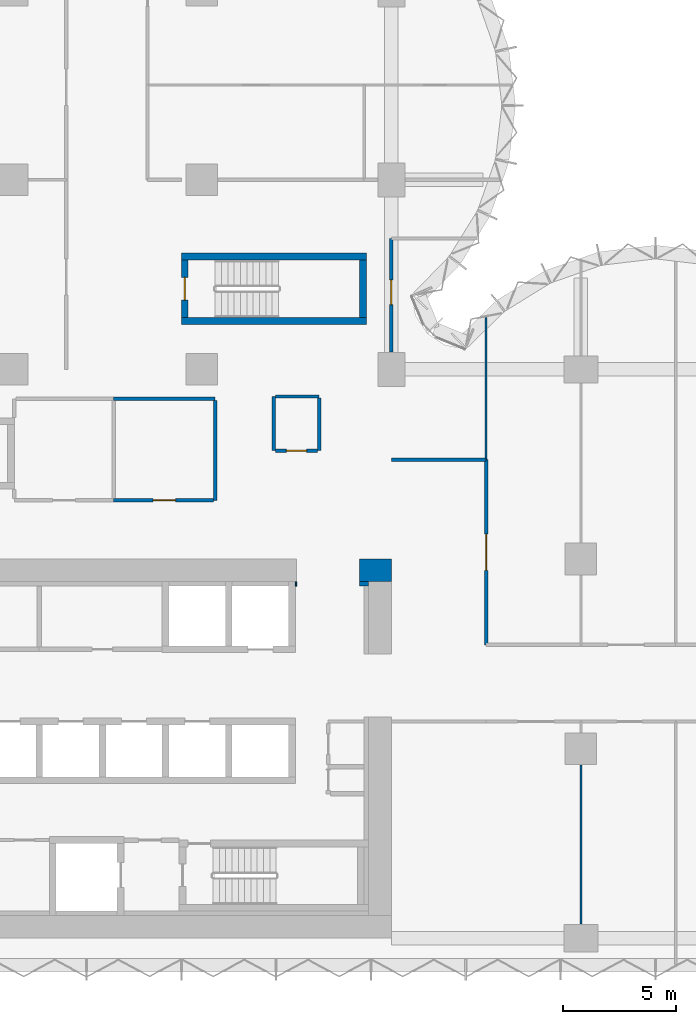
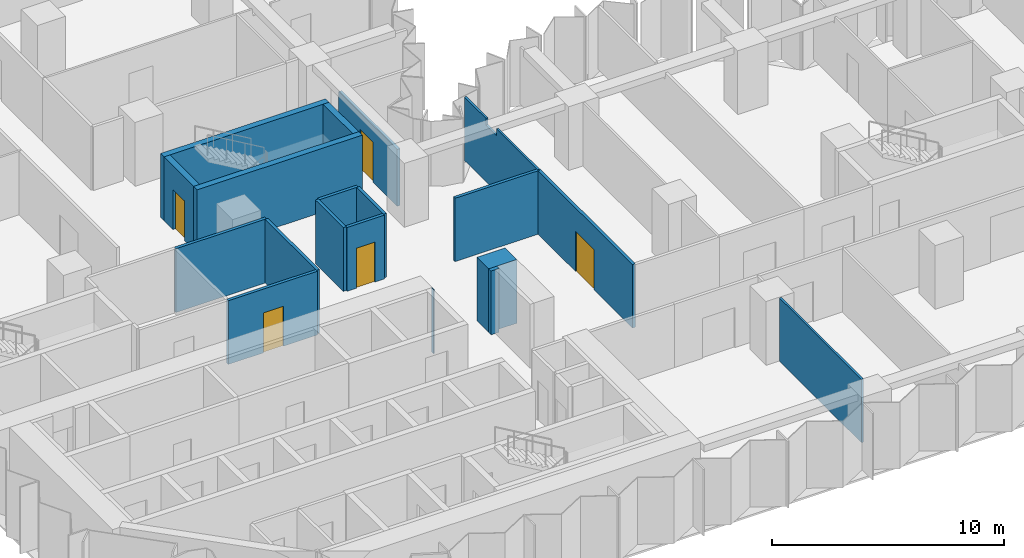
# One storey, part 9 of 15: 19 walls, 5 doors, 5 openings.
"""IFC4 building model written with IfcOpenShell, lengths in metres."""

import ifcopenshell
import ifcopenshell.guid

model = None  # the IFC model being written
_history = None  # IfcOwnerHistory: only IFC2X3 demands one
_inside = {}  # id of a spatial element -> (the spatial element, [elements in it])
_under = {}  # id of a project, library or spatial element -> (it, [spatial elements below it])
_declared = {}  # id of a project -> (the project, [libraries it declares])
_typed = {}  # id of a type object -> (the type object, [elements of that type])
_made_of = {}  # id of a material, layer set ... -> (it, [elements and type objects made of it])


def new_model(schema):
    """Start an empty IFC model of exactly this schema.

    Asked for "IFC4X3", IfcOpenShell would pick the latest addendum, in which some entities
    have other attributes; the version numbers below select the first issue.
    IFC2X3 requires an IfcOwnerHistory on every rooted entity: one is made here for all.
    """
    global model, _history
    if schema == "IFC4X3":
        model = ifcopenshell.file(schema_version=(4, 3, 0, 0))
    else:
        model = ifcopenshell.file(schema=schema)
    _inside.clear()
    _under.clear()
    _declared.clear()
    _typed.clear()
    _made_of.clear()
    _history = None
    if model.schema == "IFC2X3":
        org = make("IfcOrganization", Name="unknown")
        user = make(
            "IfcPersonAndOrganization",
            ThePerson=make("IfcPerson", FamilyName="unknown"),
            TheOrganization=org,
        )
        app = make(
            "IfcApplication",
            ApplicationDeveloper=org,
            Version="unknown",
            ApplicationFullName="unknown",
            ApplicationIdentifier="unknown",
        )
        _history = make(
            "IfcOwnerHistory",
            OwningUser=user,
            OwningApplication=app,
            ChangeAction="ADDED",
            CreationDate=0,
        )
    return model


def make(cls, **values):
    """One entity of the class cls with the attributes given. An attribute that is None is left unset."""
    return model.create_entity(
        cls, **{name: value for name, value in values.items() if value is not None}
    )


def rooted(cls, **values):
    """An entity with a GlobalId (a new one), such as an element, a storey or a relation."""
    return make(cls, GlobalId=ifcopenshell.guid.new(), OwnerHistory=_history, **values)


def si_unit(unit_type, name, prefix=None):
    """IfcSIUnit, for example si_unit("LENGTHUNIT", "METRE", prefix="MILLI")."""
    return make("IfcSIUnit", UnitType=unit_type, Prefix=prefix, Name=name)


def assignment(units):
    """IfcUnitAssignment: the units of a project."""
    return None if units is None else make("IfcUnitAssignment", Units=units)


def point(xyz):
    """IfcCartesianPoint."""
    return None if xyz is None else make("IfcCartesianPoint", Coordinates=xyz)


def direction(xyz):
    """IfcDirection."""
    return None if xyz is None else make("IfcDirection", DirectionRatios=xyz)


def frame(location, z_axis=None, x_axis=None):
    """IfcAxis2Placement3D, a coordinate frame: its origin and axes. An axis left out is left unset."""
    return make(
        "IfcAxis2Placement3D",
        Location=point(location),
        Axis=direction(z_axis),
        RefDirection=direction(x_axis),
    )


def frame_2d(location, x_axis=None):
    """IfcAxis2Placement2D, a coordinate frame in the plane: its origin and x axis."""
    return make(
        "IfcAxis2Placement2D", Location=point(location), RefDirection=direction(x_axis)
    )


def origin():
    """The frame at (0, 0, 0) with its axes left unset."""
    return frame((0.0, 0.0, 0.0))


def place(relative_to, where):
    """IfcLocalPlacement: puts the frame where relative to a parent placement (None: the world)."""
    return make(
        "IfcLocalPlacement", PlacementRelTo=relative_to, RelativePlacement=where
    )


def context(
    kind, dimensions, precision=None, world=None, true_north=None, identifier=None
):
    """IfcGeometricRepresentationContext, for example the 3D "Model" context."""
    return make(
        "IfcGeometricRepresentationContext",
        ContextIdentifier=identifier,
        ContextType=kind,
        CoordinateSpaceDimension=dimensions,
        Precision=precision,
        WorldCoordinateSystem=world,
        TrueNorth=true_north,
    )


def subcontext(parent, identifier, kind, view, scale=None):
    """IfcGeometricRepresentationSubContext, for example "Body" below "Model"."""
    return make(
        "IfcGeometricRepresentationSubContext",
        ContextIdentifier=identifier,
        ContextType=kind,
        ParentContext=parent,
        TargetScale=scale,
        TargetView=view,
    )


def project(units=None, contexts=None):
    """IfcProject with its units and contexts."""
    return rooted(
        "IfcProject",
        Name="project",
        RepresentationContexts=contexts,
        UnitsInContext=assignment(units),
    )


def spatial(cls, under=None, at=None, **own):
    """A site, building, storey or space (cls), placed at a placement, below another one or the project."""
    s = rooted(cls, ObjectPlacement=at, **own)
    if under is not None:
        _under.setdefault(under.id(), (under, []))[1].append(s)
    return s


def polyline(points):
    """IfcPolyline through the points."""
    return make("IfcPolyline", Points=[point(p) for p in points])


def profile(cls, at=None, kind="AREA", **sizes):
    """A parametric profile (cls). Its sizes go by their IFC names, for example OverallWidth=200.0."""
    return make(cls, ProfileType=kind, Position=at, **sizes)


def rectangle(**sizes):
    """IfcRectangleProfileDef."""
    return profile("IfcRectangleProfileDef", **sizes)


def outline(outer, holes=None, kind="AREA"):
    """IfcArbitraryClosedProfileDef: a profile drawn as a closed curve; with holes, ...WithVoids."""
    if holes is None:
        return make("IfcArbitraryClosedProfileDef", ProfileType=kind, OuterCurve=outer)
    return make(
        "IfcArbitraryProfileDefWithVoids",
        ProfileType=kind,
        OuterCurve=outer,
        InnerCurves=holes,
    )


def extrude(swept, where, along, depth):
    """IfcExtrudedAreaSolid: the profile swept, set in the frame where, extruded along a direction by depth."""
    return make(
        "IfcExtrudedAreaSolid",
        SweptArea=swept,
        Position=where,
        ExtrudedDirection=direction(along),
        Depth=depth,
    )


def shape(context_of_items, identifier, shape_type, items):
    """IfcShapeRepresentation: the items that make up one representation, for example the "Body"."""
    return make(
        "IfcShapeRepresentation",
        ContextOfItems=context_of_items,
        RepresentationIdentifier=identifier,
        RepresentationType=shape_type,
        Items=items,
    )


def material(Name=None, Category=None):
    """IfcMaterial."""
    return make("IfcMaterial", Name=Name, Category=Category)


def layer(
    of_material, thickness, ventilated=None, Name=None, Category=None, Priority=None
):
    """IfcMaterialLayer: one layer of a wall or slab, of a material (None: an air gap)."""
    return make(
        "IfcMaterialLayer",
        Material=of_material,
        LayerThickness=thickness,
        IsVentilated=ventilated,
        Name=Name,
        Category=Category,
        Priority=Priority,
    )


def layer_set(layers, Name=None):
    """IfcMaterialLayerSet."""
    return make("IfcMaterialLayerSet", MaterialLayers=layers, LayerSetName=Name)


def made_of(thing, what):
    """Note that an element or type object is made of a material, layer set ...; save() writes the relation."""
    if what is not None:
        _made_of.setdefault(what.id(), (what, []))[1].append(thing)
    return thing


def type_object(cls, material=None, **own):
    """A type object (cls), such as IfcWallType, which elements share."""
    return made_of(rooted(cls, **own), material)


def element(
    cls,
    number,
    at=None,
    inside=None,
    cuts=None,
    type_object=None,
    material=None,
    context=None,
    identifier="Body",
    shape_type=None,
    held_by="IfcProductDefinitionShape",
    body=None,
    shapes=None,
    **own,
):
    """One element of the class cls, such as IfcWall. Its Tag is "e" and its number.

    at: its placement. inside: the storey or other place that contains it. cuts: it is an
    opening in that element (IfcRelVoidsElement). A single representation is given by context,
    identifier, shape_type and body (its items); several are given by shapes. held_by: the class
    of the entity that holds the representations. save() writes the other relations.
    """
    e = rooted(cls, Tag="e%d" % number, ObjectPlacement=at, **own)
    if body is not None:
        shapes = [shape(context, identifier, shape_type, body)]
    if shapes is not None:
        e.Representation = make(held_by, Representations=shapes)
    if inside is not None:
        _inside.setdefault(inside.id(), (inside, []))[1].append(e)
    if cuts is not None:
        rooted(
            "IfcRelVoidsElement", RelatingBuildingElement=cuts, RelatedOpeningElement=e
        )
    if type_object is not None:
        _typed.setdefault(type_object.id(), (type_object, []))[1].append(e)
    return made_of(e, material)


def fill(opening, filler):
    """IfcRelFillsElement: the door or window that sits in an opening."""
    return rooted(
        "IfcRelFillsElement",
        RelatingOpeningElement=opening,
        RelatedBuildingElement=filler,
    )


def aggregate(whole, parts):
    """IfcRelAggregates: a whole, such as a stair, and the parts it consists of."""
    return rooted("IfcRelAggregates", RelatingObject=whole, RelatedObjects=parts)


def save(model, path):
    """Write the relations noted so far, then the file.

    IfcRelAggregates (storeys below a building ...), IfcRelContainedInSpatialStructure (elements
    in a storey), IfcRelDefinesByType, IfcRelAssociatesMaterial and IfcRelDeclares: one each for
    every whole, place, type object, material and project.
    """
    for whole, parts in _under.values():
        aggregate(whole, parts)
    for where, things in _inside.values():
        rooted(
            "IfcRelContainedInSpatialStructure",
            RelatedElements=things,
            RelatingStructure=where,
        )
    for kind, things in _typed.values():
        rooted("IfcRelDefinesByType", RelatedObjects=things, RelatingType=kind)
    for what, things in _made_of.values():
        rooted("IfcRelAssociatesMaterial", RelatedObjects=things, RelatingMaterial=what)
    for by, libraries in _declared.values():
        rooted("IfcRelDeclares", RelatingContext=by, RelatedDefinitions=libraries)
    model.write(path)


model = new_model("IFC4")

# Units and contexts
model_context = context("Model", 3, precision=1e-05, world=origin(), true_north=direction((0.0, 1.0)))
body_context = subcontext(model_context, "Body", "Model", "MODEL_VIEW")
ifc_project = project(units=[si_unit("LENGTHUNIT", "METRE"), si_unit("AREAUNIT", "SQUARE_METRE"), si_unit("VOLUMEUNIT", "CUBIC_METRE"), si_unit("PLANEANGLEUNIT", "RADIAN"), si_unit("MASSUNIT", "GRAM", prefix="KILO")], contexts=[model_context])

# Site, building, storey
site_placement = place(None, origin())
site = spatial("IfcSite", under=ifc_project, at=site_placement, CompositionType="ELEMENT")
building_placement = place(site_placement, origin())
building = spatial("IfcBuilding", under=site, at=building_placement, Name="Brevane Broadcast Tower", CompositionType="ELEMENT")
storey_placement = place(building_placement, frame((0.0, 0.0, 68.89990234375)))
storey = spatial("IfcBuildingStorey", under=building, at=storey_placement, Name="L15", CompositionType="ELEMENT", Elevation=68.89990234375)

# Walls
ifc_material_1 = material(Name="Concrete C32/40", Category="concrete")
ifc_layer_1 = layer(ifc_material_1, 0.199951171875)
ifc_layer_set_1 = layer_set([ifc_layer_1], Name="Core chase wall 200 mm")
wall_type_1 = type_object("IfcWallType", Name="Core chase wall 200 mm", PredefinedType="PARTITIONING", material=ifc_layer_set_1)
wall_1_placement = place(storey_placement, frame((23.800048828125, 15.699951171875, 0.0), z_axis=(0.0, 0.0, 1.0), x_axis=(1.0, 0.0, 0.0)))
element("IfcWall", 1, at=wall_1_placement, inside=storey, type_object=wall_type_1, Name="L15 chase wall LN2", PredefinedType="PARTITIONING", context=body_context, shape_type="SweptSolid", body=[
    extrude(rectangle(XDim=0.39990234375, YDim=0.199951171875, at=frame_2d((0.199951171875, 0.0))), origin(), (0.0, 0.0, 1.0), 3.35009765625),
])
wall_2_placement = place(storey_placement, frame((20.949951171875, 15.699951171875, 0.0), z_axis=(0.0, 0.0, 1.0), x_axis=(1.0, 0.0, 0.0)))
element("IfcWall", 2, at=wall_2_placement, inside=storey, type_object=wall_type_1, Name="L15 chase wall LN1-2-2-2-2", PredefinedType="PARTITIONING", context=body_context, shape_type="SweptSolid", body=[
    extrude(rectangle(XDim=0.050048828125, YDim=0.199951171875, at=frame_2d((0.02490234375, 0.0))), origin(), (0.0, 0.0, 1.0), 3.35009765625),
])
ifc_material_2 = material(Name="Gypsum board on steel studs", Category="steel")
ifc_layer_2 = layer(ifc_material_2, 0.14990234375)
ifc_layer_set_2 = layer_set([ifc_layer_2], Name="Core fire partition 150 mm")
wall_type_2 = type_object("IfcWallType", Name="Core fire partition 150 mm", PredefinedType="PARTITIONING", material=ifc_layer_set_2)
wall_3_placement = place(storey_placement, frame((12.89990234375, 23.89990234375, 0.0), z_axis=(0.0, 0.0, 1.0), x_axis=(1.0, 0.0, 0.0)))
element("IfcWall", 3, at=wall_3_placement, inside=storey, type_object=wall_type_2, Name="L15 partition wall P19", PredefinedType="PARTITIONING", context=body_context, shape_type="SweptSolid", body=[
    extrude(rectangle(XDim=4.5, YDim=0.14990234375, at=frame_2d((2.25, 0.0))), origin(), (0.0, 0.0, 1.0), 3.35009765625),
])
wall_4_placement = place(storey_placement, frame((17.39990234375, 23.824951171875, 0.0), z_axis=(0.0, 0.0, 1.0), x_axis=(0.0, -1.0, 0.0)))
element("IfcWall", 4, at=wall_4_placement, inside=storey, type_object=wall_type_2, Name="L15 partition wall P20", PredefinedType="PARTITIONING", context=body_context, shape_type="SweptSolid", body=[
    extrude(rectangle(XDim=4.425048828125, YDim=0.14990234375, at=frame_2d((2.21240234375, 0.0))), origin(), (0.0, 0.0, 1.0), 3.35009765625),
])

# Wall, opening, door
wall_5_placement = place(storey_placement, frame((17.324951171875, 19.39990234375, 0.0), z_axis=(0.0, 0.0, 1.0), x_axis=(-1.0, 0.0, 0.0)))
wall_5 = element("IfcWall", 5, at=wall_5_placement, inside=storey, type_object=wall_type_2, Name="L15 partition wall P21", PredefinedType="PARTITIONING", context=body_context, shape_type="SweptSolid", body=[
    extrude(rectangle(XDim=4.425048828125, YDim=0.14990234375, at=frame_2d((2.21240234375, 0.0))), origin(), (0.0, 0.0, 1.0), 3.35009765625),
])
opening_1_placement = place(wall_5_placement, frame((1.675048828125, 0.0, 0.0)))
opening_1 = element("IfcOpeningElement", 6, at=opening_1_placement, cuts=wall_5, Name="Opening L15-K26", PredefinedType="OPENING", context=body_context, shape_type="SweptSolid", body=[
    extrude(rectangle(XDim=1.0, YDim=2.10009765625, at=frame_2d((0.5, 1.050048828125))), frame((0.0, 0.0849609375, 0.0), z_axis=(0.0, -1.0, 0.0), x_axis=(1.0, 0.0, 0.0)), (0.0, 0.0, 1.0), 0.169921875),
])
ifc_material_3 = material(Name="Steel", Category="steel")
door_type_1 = type_object("IfcDoorType", Name="Service room door 1000 x 2100", OperationType="SINGLE_SWING_LEFT", PredefinedType="DOOR", material=ifc_material_3)
door_1_placement = place(opening_1_placement, origin())
door_1 = element("IfcDoor", 7, at=door_1_placement, inside=storey, type_object=door_type_1, Name="Door L15-K26", OperationType="SINGLE_SWING_RIGHT", OverallHeight=2.10009765625, OverallWidth=1.0, PredefinedType="DOOR", context=body_context, shape_type="SweptSolid", body=[
    extrude(rectangle(XDim=1.0, YDim=2.10009765625, at=frame_2d((0.5, 1.050048828125))), frame((0.0, 0.02490234375, 0.0), z_axis=(0.0, -1.0, 0.0), x_axis=(1.0, 0.0, 0.0)), (0.0, 0.0, 1.0), 0.050048828125),
])
fill(opening_1, door_1)

# Walls
wall_6_placement = place(storey_placement, frame((20.0, 21.60009765625, 0.0), z_axis=(0.0, 0.0, 1.0), x_axis=(0.0, 1.0, 0.0)))
element("IfcWall", 8, at=wall_6_placement, inside=storey, type_object=wall_type_2, Name="L15 partition wall P25", PredefinedType="PARTITIONING", context=body_context, shape_type="SweptSolid", body=[
    extrude(rectangle(XDim=2.39990234375, YDim=0.14990234375, at=frame_2d((1.199951171875, 0.0))), origin(), (0.0, 0.0, 1.0), 3.35009765625),
])
wall_7_placement = place(storey_placement, frame((20.074951171875, 24.0, 0.0), z_axis=(0.0, 0.0, 1.0), x_axis=(1.0, 0.0, 0.0)))
element("IfcWall", 9, at=wall_7_placement, inside=storey, type_object=wall_type_2, Name="L15 partition wall P26", PredefinedType="PARTITIONING", context=body_context, shape_type="SweptSolid", body=[
    extrude(rectangle(XDim=1.925048828125, YDim=0.14990234375, at=frame_2d((0.96240234375, 0.0))), origin(), (0.0, 0.0, 1.0), 3.35009765625),
])
wall_8_placement = place(storey_placement, frame((22.0, 23.925048828125, 0.0), z_axis=(0.0, 0.0, 1.0), x_axis=(0.0, -1.0, 0.0)))
element("IfcWall", 10, at=wall_8_placement, inside=storey, type_object=wall_type_2, Name="L15 partition wall P27", PredefinedType="PARTITIONING", context=body_context, shape_type="SweptSolid", body=[
    extrude(rectangle(XDim=2.324951171875, YDim=0.14990234375, at=frame_2d((1.16259765625, 0.0))), origin(), (0.0, 0.0, 1.0), 3.35009765625),
])

# Wall, opening, door
wall_9_placement = place(storey_placement, frame((21.925048828125, 21.60009765625, 0.0), z_axis=(0.0, 0.0, 1.0), x_axis=(-1.0, 0.0, 0.0)))
wall_9 = element("IfcWall", 11, at=wall_9_placement, inside=storey, type_object=wall_type_2, Name="L15 partition wall P28", PredefinedType="PARTITIONING", context=body_context, shape_type="SweptSolid", body=[
    extrude(rectangle(XDim=1.85009765625, YDim=0.14990234375, at=frame_2d((0.925048828125, 0.0))), origin(), (0.0, 0.0, 1.0), 3.35009765625),
])
opening_2_placement = place(wall_9_placement, frame((0.47509765625, 0.0, 0.0)))
opening_2 = element("IfcOpeningElement", 12, at=opening_2_placement, cuts=wall_9, Name="Opening L15-K24", PredefinedType="OPENING", context=body_context, shape_type="SweptSolid", body=[
    extrude(rectangle(XDim=0.89990234375, YDim=2.10009765625, at=frame_2d((0.449951171875, 1.050048828125))), frame((0.0, 0.0849609375, 0.0), z_axis=(0.0, -1.0, 0.0), x_axis=(1.0, 0.0, 0.0)), (0.0, 0.0, 1.0), 0.169921875),
])
ifc_material_4 = material(Name="Timber", Category="wood")
door_type_2 = type_object("IfcDoorType", Name="Toilet door 900 x 2100", OperationType="SINGLE_SWING_LEFT", PredefinedType="DOOR", material=ifc_material_4)
door_2_placement = place(opening_2_placement, origin())
door_2 = element("IfcDoor", 13, at=door_2_placement, inside=storey, type_object=door_type_2, Name="Door L15-K24", OperationType="SINGLE_SWING_RIGHT", OverallHeight=2.10009765625, OverallWidth=0.89990234375, PredefinedType="DOOR", context=body_context, shape_type="SweptSolid", body=[
    extrude(rectangle(XDim=0.89990234375, YDim=2.10009765625, at=frame_2d((0.449951171875, 1.050048828125))), frame((0.0, 0.02490234375, 0.0), z_axis=(0.0, -1.0, 0.0), x_axis=(1.0, 0.0, 0.0)), (0.0, 0.0, 1.0), 0.050048828125),
])
fill(opening_2, door_2)

# Walls
ifc_material_5 = material(Name="Concrete C80/95", Category="concrete")
ifc_layer_3 = layer(ifc_material_5, 1.0)
ifc_layer_set_3 = layer_set([ifc_layer_3], Name="Core wall 1000 mm C80/95")
wall_type_3 = type_object("IfcWallType", Name="Core wall 1000 mm C80/95", PredefinedType="SHEAR", material=ifc_layer_set_3)
wall_10_placement = place(storey_placement, frame((23.800048828125, 16.300048828125, 0.0), z_axis=(0.0, 0.0, 1.0), x_axis=(1.0, 0.0, 0.0)))
element("IfcWall", 14, at=wall_10_placement, inside=storey, type_object=wall_type_3, Name="L15 outer wall WN2", PredefinedType="SHEAR", context=body_context, shape_type="SweptSolid", body=[
    extrude(rectangle(XDim=1.39990234375, YDim=1.0, at=frame_2d((0.699951171875, 0.0))), origin(), (0.0, 0.0, 1.0), 3.35009765625),
])
ifc_layer_4 = layer(ifc_material_5, 0.300048828125)
ifc_layer_set_4 = layer_set([ifc_layer_4], Name="Core wall 300 mm C80/95")
wall_type_4 = type_object("IfcWallType", Name="Core wall 300 mm C80/95", PredefinedType="SHEAR", material=ifc_layer_set_4)
for number, where, z_axis, x_axis, name in (
    (15, (15.89990234375, 27.35009765625, 0.0), (0.0, 0.0, 1.0), (1.0, 0.0, 0.0), "L15 stair wall ST-3-S"),
    (16, (15.89990234375, 30.199951171875, 0.0), (0.0, 0.0, 1.0), (1.0, 0.0, 0.0), "L15 stair wall ST-3-N"),
):
    element("IfcWall", number, at=place(storey_placement, frame(where, z_axis=z_axis, x_axis=x_axis)), inside=storey, type_object=wall_type_4, Name=name, PredefinedType="SHEAR", context=body_context, shape_type="SweptSolid", body=[
        extrude(rectangle(XDim=8.2001953125, YDim=0.300048828125, at=frame_2d((4.10009765625, 0.0))), origin(), (0.0, 0.0, 1.0), 3.35009765625),
    ])

# Wall, opening, door
wall_11_placement = place(storey_placement, frame((16.050048828125, 27.5, 0.0), z_axis=(0.0, 0.0, 1.0), x_axis=(0.0, 1.0, 0.0)))
wall_11 = element("IfcWall", 17, at=wall_11_placement, inside=storey, type_object=wall_type_4, Name="L15 stair wall ST-3-W", PredefinedType="SHEAR", context=body_context, shape_type="SweptSolid", body=[
    extrude(rectangle(XDim=2.550048828125, YDim=0.300048828125, at=frame_2d((1.27490234375, 0.0))), origin(), (0.0, 0.0, 1.0), 3.35009765625),
])
opening_3_placement = place(wall_11_placement, frame((0.77490234375, 0.0, 0.0)))
opening_3 = element("IfcOpeningElement", 18, at=opening_3_placement, cuts=wall_11, Name="Opening L15-K14", PredefinedType="OPENING", context=body_context, shape_type="SweptSolid", body=[
    extrude(rectangle(XDim=1.0, YDim=2.10009765625, at=frame_2d((0.5, 1.050048828125))), frame((0.0, 0.159912109375, 0.0), z_axis=(0.0, -1.0, 0.0), x_axis=(1.0, 0.0, 0.0)), (0.0, 0.0, 1.0), 0.320068359375),
])
door_type_3 = type_object("IfcDoorType", Name="Stair door 1000 x 2100", OperationType="SINGLE_SWING_LEFT", PredefinedType="DOOR", material=ifc_material_3)
door_3_placement = place(opening_3_placement, origin())
door_3 = element("IfcDoor", 19, at=door_3_placement, inside=storey, type_object=door_type_3, Name="Door L15-K14", OperationType="SINGLE_SWING_RIGHT", OverallHeight=2.10009765625, OverallWidth=1.0, PredefinedType="DOOR", context=body_context, shape_type="SweptSolid", body=[
    extrude(rectangle(XDim=1.0, YDim=2.10009765625, at=frame_2d((0.5, 1.050048828125))), frame((0.0, 0.02490234375, 0.0), z_axis=(0.0, -1.0, 0.0), x_axis=(1.0, 0.0, 0.0)), (0.0, 0.0, 1.0), 0.050048828125),
])
fill(opening_3, door_3)

# Walls
wall_12_placement = place(storey_placement, frame((23.949951171875, 27.5, 0.0), z_axis=(0.0, 0.0, 1.0), x_axis=(0.0, 1.0, 0.0)))
element("IfcWall", 20, at=wall_12_placement, inside=storey, type_object=wall_type_4, Name="L15 stair wall ST-3-E", PredefinedType="SHEAR", context=body_context, shape_type="SweptSolid", body=[
    extrude(rectangle(XDim=2.550048828125, YDim=0.300048828125, at=frame_2d((1.27490234375, 0.0))), origin(), (0.0, 0.0, 1.0), 3.35009765625),
])
ifc_material_6 = material(Name="Gypsum board partition")
ifc_layer_5 = layer(ifc_material_6, 0.10009765625)
ifc_layer_set_5 = layer_set([ifc_layer_5], Name="PARTITION 100 STUD")
wall_type_5 = type_object("IfcWallType", Name="PARTITION 100 STUD", PredefinedType="PARTITIONING", material=ifc_layer_set_5)
wall_13_placement = place(storey_placement, frame((29.39990234375, 27.510986328125, 0.0), z_axis=(0.0, 0.0, 1.0), x_axis=(0.0, -1.0, 0.0)))
element("IfcWall", 21, at=wall_13_placement, inside=storey, type_object=wall_type_5, Name="Partition G04-004", PredefinedType="PARTITIONING", context=body_context, shape_type="SweptSolid", body=[
    extrude(outline(polyline([(0.0, 0.0), (6.31103515625, 0.0), (6.31103515625, 3.330078125), (2.760986328125, 3.330078125), (2.759033203125, 2.97998046875), (1.863037109375, 2.97998046875), (1.861083984375, 3.330078125), (0.236083984375, 3.330078125), (0.0, 3.330078125), (0.0, 0.0)])), frame((0.0, 0.050048828125, 0.0), z_axis=(0.0, -1.0, 0.0), x_axis=(1.0, 0.0, 0.0)), (0.0, 0.0, 1.0), 0.10009765625),
])
wall_14_placement = place(storey_placement, frame((33.60009765625, 7.679931640625, 0.0), z_axis=(0.0, 0.0, 1.0), x_axis=(0.0, -1.0, 0.0)))
element("IfcWall", 22, at=wall_14_placement, inside=storey, type_object=wall_type_5, Name="Partition G04-023", PredefinedType="PARTITIONING", context=body_context, shape_type="SweptSolid", body=[
    extrude(rectangle(XDim=7.059814453125, YDim=0.10009765625, at=frame_2d((3.52978515625, 0.0))), origin(), (0.0, 0.0, 1.0), 3.330078125),
])
ifc_layer_6 = layer(ifc_material_6, 0.14990234375)
ifc_layer_set_6 = layer_set([ifc_layer_6], Name="PARTITION 150 EI 60")
wall_type_6 = type_object("IfcWallType", Name="PARTITION 150 EI 60", PredefinedType="PARTITIONING", material=ifc_layer_set_6)
wall_15_placement = place(storey_placement, frame((25.199951171875, 21.199951171875, 0.0), z_axis=(0.0, 0.0, 1.0), x_axis=(1.0, 0.0, 0.0)))
element("IfcWall", 23, at=wall_15_placement, inside=storey, type_object=wall_type_6, Name="Partition G04-001", PredefinedType="PARTITIONING", context=body_context, shape_type="SweptSolid", body=[
    extrude(rectangle(XDim=4.199951171875, YDim=0.14990234375, at=frame_2d((2.10009765625, 0.0))), origin(), (0.0, 0.0, 1.0), 3.330078125),
])

# Wall, opening, door
wall_16_placement = place(storey_placement, frame((29.39990234375, 21.199951171875, 0.0), z_axis=(0.0, 0.0, 1.0), x_axis=(0.0, -1.0, 0.0)))
wall_16 = element("IfcWall", 24, at=wall_16_placement, inside=storey, type_object=wall_type_6, Name="Partition G04-003", PredefinedType="PARTITIONING", context=body_context, shape_type="SweptSolid", body=[
    extrude(rectangle(XDim=8.199951171875, YDim=0.14990234375, at=frame_2d((4.10009765625, 0.0))), origin(), (0.0, 0.0, 1.0), 3.330078125),
])
opening_4_placement = place(wall_16_placement, frame((3.300048828125, 0.0, 0.0)))
opening_4 = element("IfcOpeningElement", 25, at=opening_4_placement, cuts=wall_16, Name="Opening D10-007", PredefinedType="OPENING", context=body_context, shape_type="SweptSolid", body=[
    extrude(rectangle(XDim=1.60009765625, YDim=2.10009765625, at=frame_2d((0.800048828125, 1.050048828125))), frame((0.0, 0.0849609375, 0.0), z_axis=(0.0, -1.0, 0.0), x_axis=(1.0, 0.0, 0.0)), (0.0, 0.0, 1.0), 0.169921875),
])
ifc_material_7 = material(Name="Fire-rated timber door leaf", Category="wood")
door_type_4 = type_object("IfcDoorType", Name="DOOR DOUBLE 1600 FD30S", OperationType="DOUBLE_DOOR_SINGLE_SWING", PredefinedType="DOOR", material=ifc_material_7)
door_4_placement = place(opening_4_placement, origin())
door_4 = element("IfcDoor", 26, at=door_4_placement, inside=storey, type_object=door_type_4, Name="Door D10-007", OperationType="DOUBLE_DOOR_SINGLE_SWING", OverallHeight=2.10009765625, OverallWidth=1.60009765625, PredefinedType="DOOR", context=body_context, shape_type="SweptSolid", body=[
    extrude(rectangle(XDim=1.60009765625, YDim=2.10009765625, at=frame_2d((0.800048828125, 1.050048828125))), frame((0.0, 0.02490234375, 0.0), z_axis=(0.0, -1.0, 0.0), x_axis=(1.0, 0.0, 0.0)), (0.0, 0.0, 1.0), 0.050048828125),
])
fill(opening_4, door_4)

wall_17_placement = place(storey_placement, frame((25.199951171875, 31.0, 0.0), z_axis=(0.0, 0.0, 1.0), x_axis=(0.0, -1.0, 0.0)))
wall_17 = element("IfcWall", 27, at=wall_17_placement, inside=storey, type_object=wall_type_6, Name="Partition G04-005", PredefinedType="PARTITIONING", context=body_context, shape_type="SweptSolid", body=[
    extrude(outline(polyline([(0.0, 0.0), (5.030029296875, 0.0), (5.030029296875, 2.97998046875), (0.0, 2.97998046875), (0.0, 0.0)])), frame((0.0, 0.074951171875, 0.0), z_axis=(0.0, -1.0, 0.0), x_axis=(1.0, 0.0, 0.0)), (0.0, 0.0, 1.0), 0.14990234375),
])
opening_5_placement = place(wall_17_placement, frame((1.830078125, 0.0, 0.0)))
opening_5 = element("IfcOpeningElement", 28, at=opening_5_placement, cuts=wall_17, Name="Opening D10-001", PredefinedType="OPENING", context=body_context, shape_type="SweptSolid", body=[
    extrude(rectangle(XDim=1.10009765625, YDim=2.10009765625, at=frame_2d((0.550048828125, 1.050048828125))), frame((0.0, 0.0849609375, 0.0), z_axis=(0.0, -1.0, 0.0), x_axis=(1.0, 0.0, 0.0)), (0.0, 0.0, 1.0), 0.169921875),
])
door_type_5 = type_object("IfcDoorType", Name="DOOR SINGLE 1100 FD30S", OperationType="SINGLE_SWING_LEFT", PredefinedType="DOOR", material=ifc_material_7)
door_5_placement = place(opening_5_placement, origin())
door_5 = element("IfcDoor", 29, at=door_5_placement, inside=storey, type_object=door_type_5, Name="Door D10-001", OperationType="SINGLE_SWING_RIGHT", OverallHeight=2.10009765625, OverallWidth=1.10009765625, PredefinedType="DOOR", context=body_context, shape_type="SweptSolid", body=[
    extrude(rectangle(XDim=1.10009765625, YDim=2.10009765625, at=frame_2d((0.550048828125, 1.050048828125))), frame((0.0, 0.02490234375, 0.0), z_axis=(0.0, -1.0, 0.0), x_axis=(1.0, 0.0, 0.0)), (0.0, 0.0, 1.0), 0.050048828125),
])
fill(opening_5, door_5)

save(model, "model.ifc")
